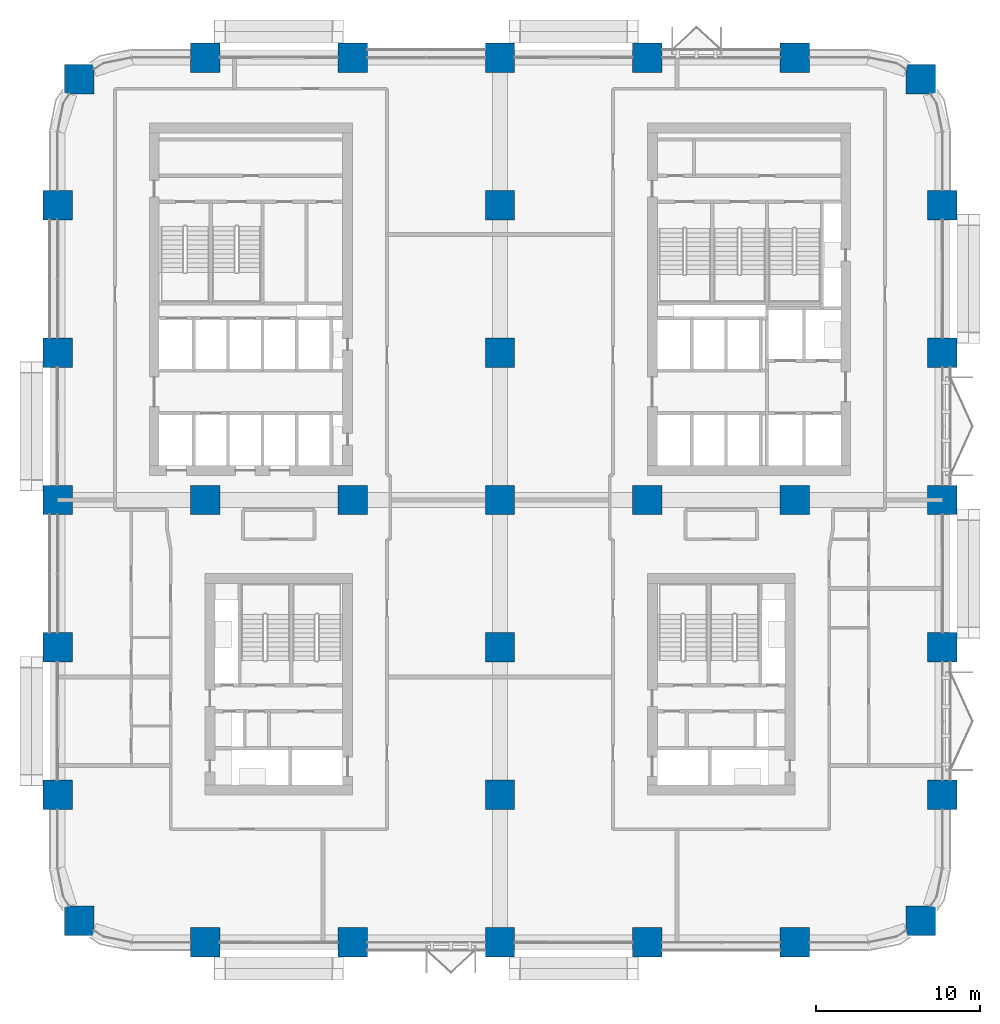
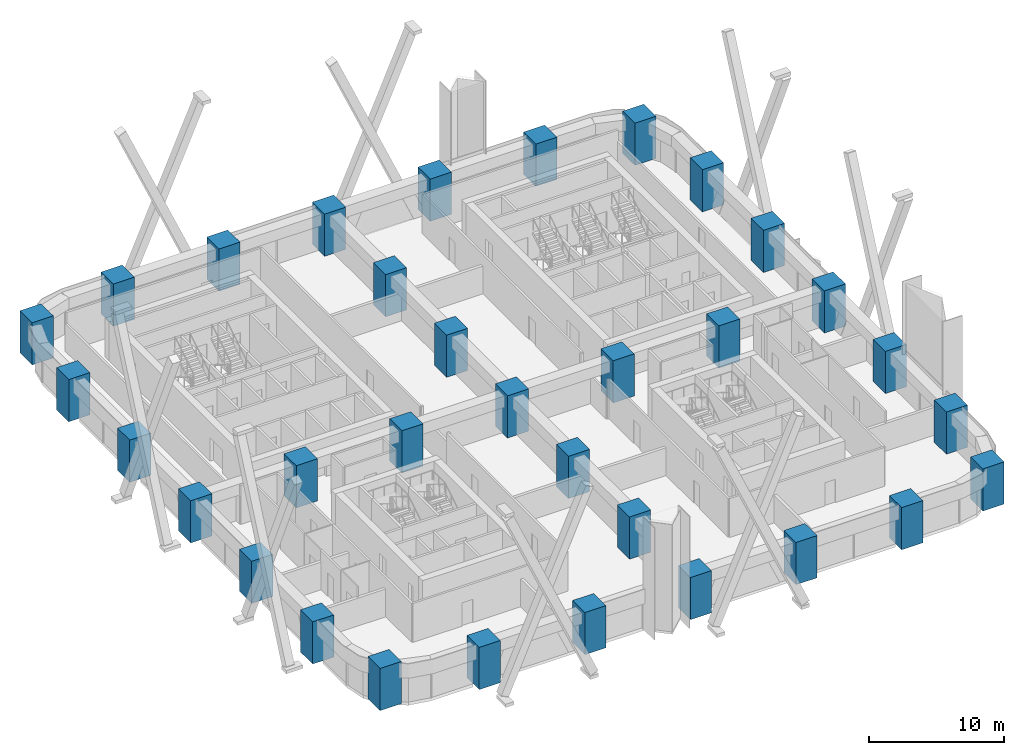
# One storey, part 1 of 24: 33 columns.
"""IFC4 building model written with IfcOpenShell, lengths in metres."""

from ifc_helpers import new_model, si_unit, direction, frame, origin, origin_2d, place, context, subcontext, project, spatial, rectangle, extrude, material, material_profile, profile_set, type_object, element, save


model = new_model("IFC4")

# Units and contexts
model_context = context("Model", 3, precision=1e-05, world=origin(), true_north=direction((0.0, 1.0)))
body_context = subcontext(model_context, "Body", "Model", "MODEL_VIEW")
ifc_project = project(units=[si_unit("LENGTHUNIT", "METRE"), si_unit("AREAUNIT", "SQUARE_METRE"), si_unit("VOLUMEUNIT", "CUBIC_METRE"), si_unit("PLANEANGLEUNIT", "RADIAN"), si_unit("MASSUNIT", "GRAM", prefix="KILO")], contexts=[model_context])

# Site, building, storey
site_placement = place(None, origin())
site = spatial("IfcSite", under=ifc_project, at=site_placement, CompositionType="ELEMENT")
building_placement = place(site_placement, origin())
building = spatial("IfcBuilding", under=site, at=building_placement, Name="Tessera Arch", CompositionType="ELEMENT")
storey_placement = place(building_placement, frame((0.0, 0.0, 61.39990234375)))
storey = spatial("IfcBuildingStorey", under=building, at=storey_placement, Name="L13", CompositionType="ELEMENT", Elevation=61.39990234375)

# Columns
ifc_material = material(Name="Concrete C80/95", Category="concrete")
ifc_material_profile = material_profile(ifc_material, rectangle(XDim=1.800048828125, YDim=1.800048828125, at=origin_2d()), Name="RC column 1800 x 1800 Concrete C80/95")
ifc_profile_set = profile_set([ifc_material_profile], Name="Concrete C80/95")
column_type = type_object("IfcColumnType", Name="RC column 1800 x 1800 Concrete C80/95", PredefinedType="COLUMN", material=ifc_profile_set)
for number, where, z_axis, x_axis, name in (
    (1, (1.318115234375, 1.318115234375, 0.0), (0.0, 0.0, 1.0), (1.0, 0.0, 0.0), "Column C1A L13"),
    (2, (0.0, 9.0, 0.0), (0.0, 0.0, 1.0), (1.0, 0.0, 0.0), "Column C1B L13"),
    (3, (0.0, 18.0, 0.0), (0.0, 0.0, 1.0), (1.0, 0.0, 0.0), "Column C1C L13"),
    (4, (0.0, 27.0, 0.0), (0.0, 0.0, 1.0), (1.0, 0.0, 0.0), "Column C1D L13"),
    (5, (0.0, 36.0, 0.0), (0.0, 0.0, 1.0), (1.0, 0.0, 0.0), "Column C1E L13"),
    (6, (0.0, 45.0, 0.0), (0.0, 0.0, 1.0), (1.0, 0.0, 0.0), "Column C1F L13"),
    (7, (1.318115234375, 52.681884765625, 0.0), (0.0, 0.0, 1.0), (1.0, 0.0, 0.0), "Column C1G L13"),
    (8, (9.0, 0.0, 0.0), (0.0, 0.0, 1.0), (1.0, 0.0, 0.0), "Column C2A L13"),
    (9, (9.0, 27.0, 0.0), (0.0, 0.0, 1.0), (1.0, 0.0, 0.0), "Column C2D L13"),
    (10, (9.0, 54.0, 0.0), (0.0, 0.0, 1.0), (1.0, 0.0, 0.0), "Column C2G L13"),
    (11, (18.0, 0.0, 0.0), (0.0, 0.0, 1.0), (1.0, 0.0, 0.0), "Column C3A L13"),
    (12, (18.0, 27.0, 0.0), (0.0, 0.0, 1.0), (1.0, 0.0, 0.0), "Column C3D L13"),
    (13, (18.0, 54.0, 0.0), (0.0, 0.0, 1.0), (1.0, 0.0, 0.0), "Column C3G L13"),
    (14, (27.0, 0.0, 0.0), (0.0, 0.0, 1.0), (1.0, 0.0, 0.0), "Column C4A L13"),
    (15, (27.0, 9.0, 0.0), (0.0, 0.0, 1.0), (1.0, 0.0, 0.0), "Column C4B L13"),
    (16, (27.0, 18.0, 0.0), (0.0, 0.0, 1.0), (1.0, 0.0, 0.0), "Column C4C L13"),
    (17, (27.0, 27.0, 0.0), (0.0, 0.0, 1.0), (1.0, 0.0, 0.0), "Column C4D L13"),
    (18, (27.0, 36.0, 0.0), (0.0, 0.0, 1.0), (1.0, 0.0, 0.0), "Column C4E L13"),
    (19, (27.0, 45.0, 0.0), (0.0, 0.0, 1.0), (1.0, 0.0, 0.0), "Column C4F L13"),
    (20, (27.0, 54.0, 0.0), (0.0, 0.0, 1.0), (1.0, 0.0, 0.0), "Column C4G L13"),
    (21, (36.0, 0.0, 0.0), (0.0, 0.0, 1.0), (1.0, 0.0, 0.0), "Column C5A L13"),
    (22, (36.0, 27.0, 0.0), (0.0, 0.0, 1.0), (1.0, 0.0, 0.0), "Column C5D L13"),
    (23, (36.0, 54.0, 0.0), (0.0, 0.0, 1.0), (1.0, 0.0, 0.0), "Column C5G L13"),
    (24, (45.0, 0.0, 0.0), (0.0, 0.0, 1.0), (1.0, 0.0, 0.0), "Column C6A L13"),
    (25, (45.0, 27.0, 0.0), (0.0, 0.0, 1.0), (1.0, 0.0, 0.0), "Column C6D L13"),
    (26, (45.0, 54.0, 0.0), (0.0, 0.0, 1.0), (1.0, 0.0, 0.0), "Column C6G L13"),
    (27, (52.681884765625, 1.318115234375, 0.0), (0.0, 0.0, 1.0), (1.0, 0.0, 0.0), "Column C7A L13"),
    (28, (54.0, 9.0, 0.0), (0.0, 0.0, 1.0), (1.0, 0.0, 0.0), "Column C7B L13"),
    (29, (54.0, 18.0, 0.0), (0.0, 0.0, 1.0), (1.0, 0.0, 0.0), "Column C7C L13"),
    (30, (54.0, 27.0, 0.0), (0.0, 0.0, 1.0), (1.0, 0.0, 0.0), "Column C7D L13"),
    (31, (54.0, 36.0, 0.0), (0.0, 0.0, 1.0), (1.0, 0.0, 0.0), "Column C7E L13"),
    (32, (54.0, 45.0, 0.0), (0.0, 0.0, 1.0), (1.0, 0.0, 0.0), "Column C7F L13"),
    (33, (52.681884765625, 52.681884765625, 0.0), (0.0, 0.0, 1.0), (1.0, 0.0, 0.0), "Column C7G L13"),
):
    element("IfcColumn", number, at=place(storey_placement, frame(where, z_axis=z_axis, x_axis=x_axis)), inside=storey, type_object=column_type, Name=name, PredefinedType="COLUMN", context=body_context, shape_type="SweptSolid", body=[
        extrude(rectangle(XDim=1.800048828125, YDim=1.800048828125, at=origin_2d()), origin(), (0.0, 0.0, 1.0), 3.800048828125),
    ])

save(model, "model.ifc")
